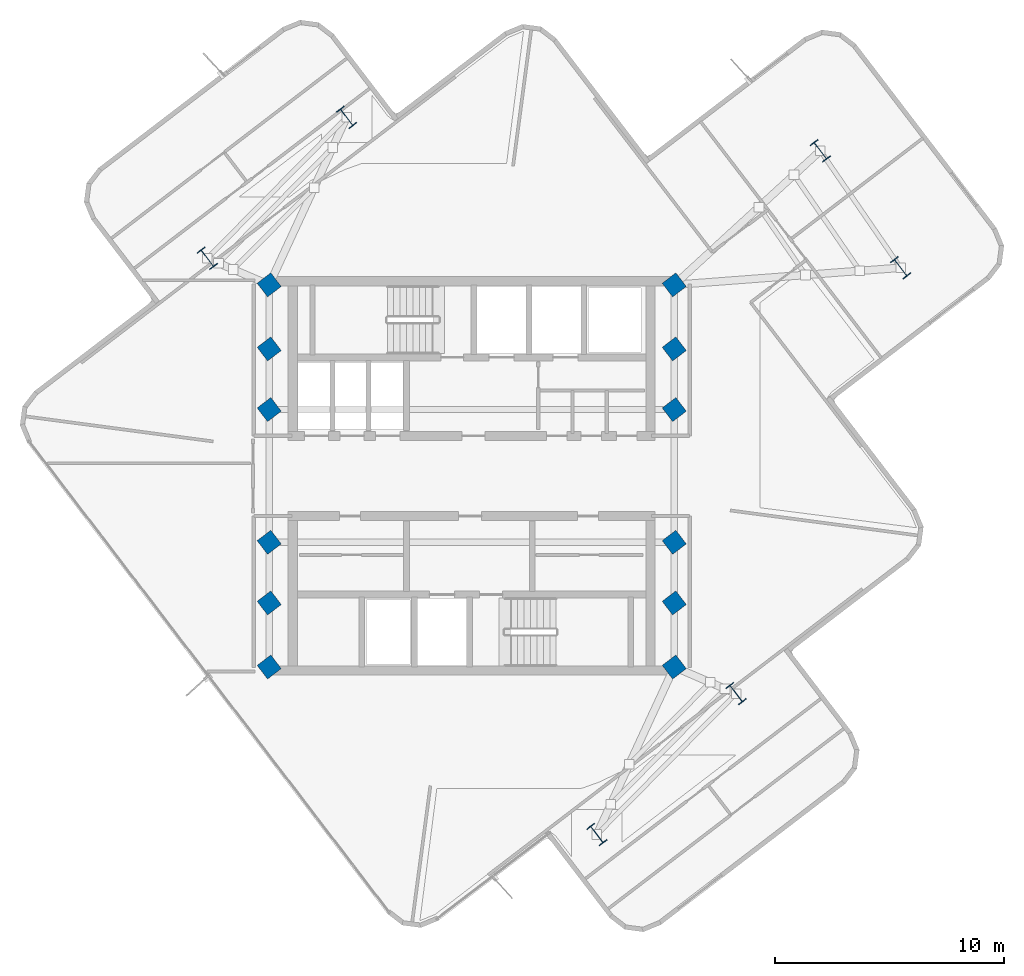
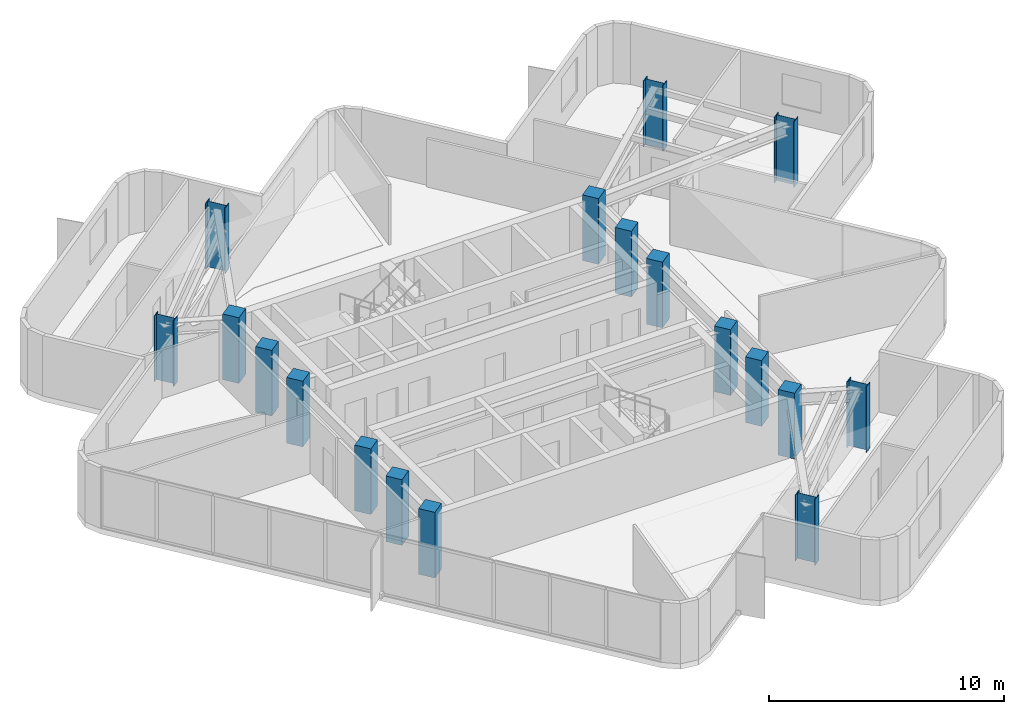
# One storey, part 1 of 9: 18 columns.
"""IFC4 building model written with IfcOpenShell, lengths in metres."""

from ifc_helpers import new_model, si_unit, direction, frame, origin, origin_2d, place, context, subcontext, project, spatial, rectangle, i_section, extrude, material, material_profile, profile_set, type_object, element, save


model = new_model("IFC4")

# Units and contexts
model_context = context("Model", 3, precision=1e-05, world=origin(), true_north=direction((0.0, 1.0)))
body_context = subcontext(model_context, "Body", "Model", "MODEL_VIEW")
ifc_project = project(units=[si_unit("LENGTHUNIT", "METRE"), si_unit("AREAUNIT", "SQUARE_METRE"), si_unit("VOLUMEUNIT", "CUBIC_METRE"), si_unit("PLANEANGLEUNIT", "RADIAN"), si_unit("MASSUNIT", "GRAM", prefix="KILO")], contexts=[model_context])

# Site, building, storey
site_placement = place(None, origin())
site = spatial("IfcSite", under=ifc_project, at=site_placement, CompositionType="ELEMENT")
building_placement = place(site_placement, origin())
building = spatial("IfcBuilding", under=site, at=building_placement, Name="Solmarez Civic Tower", CompositionType="ELEMENT")
storey_placement = place(building_placement, frame((0.0, 0.0, 229.139892578125)))
storey = spatial("IfcBuildingStorey", under=building, at=storey_placement, Name="L61", CompositionType="ELEMENT", Elevation=229.139892578125)

# Columns
ifc_material_1 = material(Name="Concrete C50/60", Category="concrete")
ifc_material_profile_1 = material_profile(ifc_material_1, rectangle(XDim=0.75, YDim=0.75, at=origin_2d()), Name="RC750X750")
ifc_profile_set_1 = profile_set([ifc_material_profile_1], Name="Concrete C50/60")
column_type_1 = type_object("IfcColumnType", Name="COL-RC750", PredefinedType="COLUMN", material=ifc_profile_set_1)
for number, where, z_axis, x_axis, name in (
    (1, (-8.85009765625, -5.550048828125, 0.0), (0.0, 0.0, 1.0), (0.794414620535, 0.607375839723, 0.0), "L61 Structural Column HC1"),
    (2, (-8.85009765625, -2.89990234375, 0.0), (0.0, 0.0, 1.0), (0.794414620535, 0.607375839723, 0.0), "L61 Structural Column HC2"),
    (3, (-8.85009765625, 2.89990234375, 0.0), (0.0, 0.0, 1.0), (0.794414620535, 0.607375839723, 0.0), "L61 Structural Column HC3"),
    (4, (-8.85009765625, 5.550048828125, 0.0), (0.0, 0.0, 1.0), (0.794414620535, 0.607375839723, 0.0), "L61 Structural Column HC4"),
    (5, (8.85009765625, -5.550048828125, 0.0), (0.0, 0.0, 1.0), (0.794414620535, 0.607375839723, 0.0), "L61 Structural Column HC5"),
    (6, (8.85009765625, -2.89990234375, 0.0), (0.0, 0.0, 1.0), (0.794414620535, 0.607375839723, 0.0), "L61 Structural Column HC6"),
    (7, (8.85009765625, 2.89990234375, 0.0), (0.0, 0.0, 1.0), (0.794414620535, 0.607375839723, 0.0), "L61 Structural Column HC7"),
    (8, (8.85009765625, 5.550048828125, 0.0), (0.0, 0.0, 1.0), (0.794414620535, 0.607375839723, 0.0), "L61 Structural Column HC8"),
    (9, (-8.85009765625, 8.35009765625, 0.0), (0.0, 0.0, 1.0), (0.794414620535, 0.607375839723, 0.0), "L61 Structural Column HC9"),
    (10, (8.85009765625, -8.35009765625, 0.0), (0.0, 0.0, 1.0), (0.794414620535, 0.607375839723, 0.0), "L61 Structural Column HC10"),
    (11, (8.85009765625, 8.35009765625, 0.0), (0.0, 0.0, 1.0), (0.794414620535, 0.607375839723, 0.0), "L61 Structural Column HC11"),
    (12, (-8.85009765625, -8.35009765625, 0.0), (0.0, 0.0, 1.0), (0.794414620535, 0.607375839723, 0.0), "L61 Structural Column HC12"),
):
    element("IfcColumn", number, at=place(storey_placement, frame(where, z_axis=z_axis, x_axis=x_axis)), inside=storey, type_object=column_type_1, Name=name, PredefinedType="COLUMN", context=body_context, shape_type="SweptSolid", body=[
        extrude(rectangle(XDim=0.75, YDim=0.75, at=origin_2d()), origin(), (0.0, 0.0, 1.0), 3.420166015625),
    ])
ifc_material_2 = material(Name="Steel S355", Category="steel")
ifc_material_profile_2 = material_profile(ifc_material_2, i_section(OverallWidth=0.41796875, OverallDepth=0.927001953125, WebThickness=0.019287109375, FlangeThickness=0.031982421875, at=origin_2d()), Name="W36X231")
ifc_profile_set_2 = profile_set([ifc_material_profile_2], Name="Steel S355")
column_type_2 = type_object("IfcColumnType", Name="COL-W36X231", PredefinedType="COLUMN", material=ifc_profile_set_2)
for number, where, z_axis, x_axis, name in (
    (13, (18.740966796875, 9.096923828125, 0.0), (0.0, 0.0, 1.0), (0.794414620535, 0.607375839723, 0.0), "L61 Structural Column EA11"),
    (14, (15.23388671875, 14.208984375, 0.0), (0.0, 0.0, 1.0), (0.794414620535, 0.607375839723, 0.0), "L61 Structural Column EA12"),
    (15, (-5.468017578125, 15.6708984375, 0.0), (0.0, 0.0, 1.0), (0.794414620535, 0.607375839723, 0.0), "L61 Structural Column NA11"),
    (16, (-11.553955078125, 9.510009765625, 0.0), (0.0, 0.0, 1.0), (0.794414620535, 0.607375839723, 0.0), "L61 Structural Column NA12"),
    (17, (5.468017578125, -15.6708984375, 0.0), (0.0, 0.0, 1.0), (0.794414620535, 0.607375839723, 0.0), "L61 Structural Column SA11"),
    (18, (11.553955078125, -9.510009765625, 0.0), (0.0, 0.0, 1.0), (0.794414620535, 0.607375839723, 0.0), "L61 Structural Column SA12"),
):
    element("IfcColumn", number, at=place(storey_placement, frame(where, z_axis=z_axis, x_axis=x_axis)), inside=storey, type_object=column_type_2, Name=name, PredefinedType="COLUMN", context=body_context, shape_type="SweptSolid", body=[
        extrude(i_section(OverallWidth=0.41796875, OverallDepth=0.927001953125, WebThickness=0.019287109375, FlangeThickness=0.031982421875, at=origin_2d()), origin(), (0.0, 0.0, 1.0), 3.420166015625),
    ])

save(model, "model.ifc")
